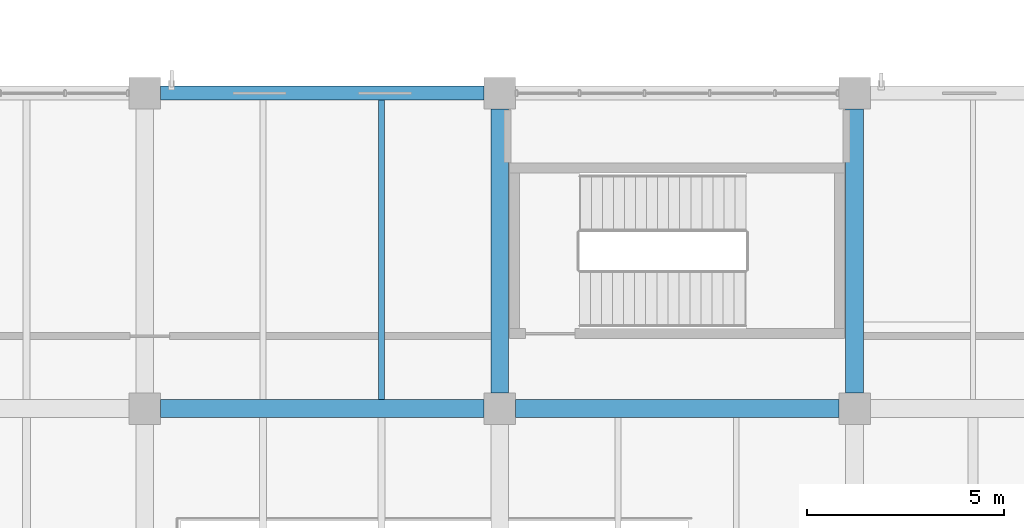
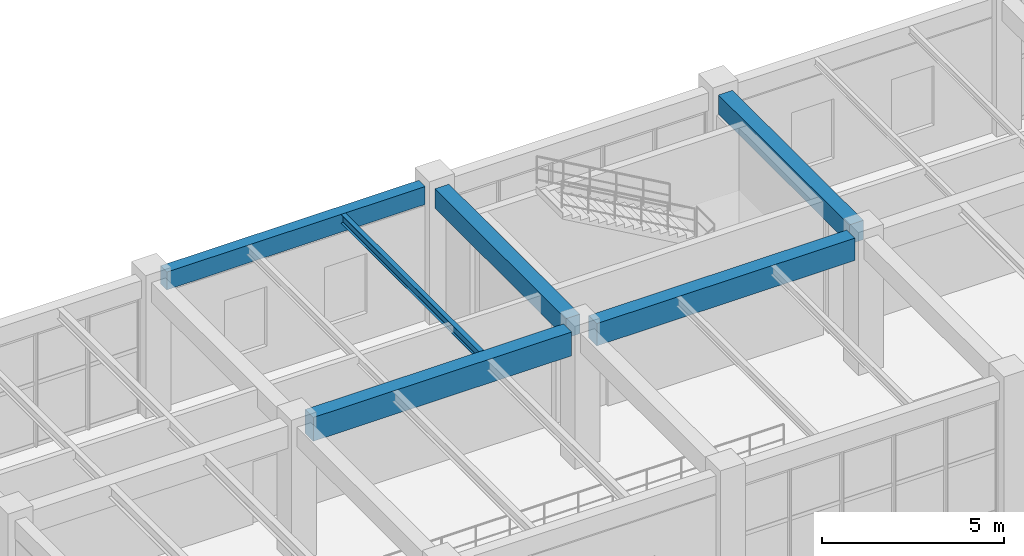
# One storey, part 107 of 178: 6 beams.
"""IFC4 building model written with IfcOpenShell, lengths in metres."""

from ifc_helpers import new_model, si_unit, derived_unit, direction, frame, origin, origin_2d, place, context, subcontext, project, spatial, rectangle, i_section, extrude, material, material_profile, profile_set, type_object, element, save


model = new_model("IFC4")

# Units and contexts
model_context = context("Model", 3, precision=1e-05, world=origin(), true_north=direction((0.0, 1.0)))
body_context = subcontext(model_context, "Body", "Model", "MODEL_VIEW")
ifc_project = project(units=[si_unit("LENGTHUNIT", "METRE"), si_unit("AREAUNIT", "SQUARE_METRE"), si_unit("VOLUMEUNIT", "CUBIC_METRE"), si_unit("PLANEANGLEUNIT", "RADIAN"), si_unit("MASSUNIT", "GRAM", prefix="KILO"), derived_unit("THERMALTRANSMITTANCEUNIT", [(si_unit("MASSUNIT", "GRAM", prefix="KILO"), 1), (si_unit("TIMEUNIT", "SECOND"), -3), (si_unit("THERMODYNAMICTEMPERATUREUNIT", "KELVIN"), -1)])], contexts=[model_context])

# Site, building, storey
site_placement = place(None, origin())
site = spatial("IfcSite", under=ifc_project, at=site_placement, CompositionType="ELEMENT")
building_placement = place(site_placement, origin())
building = spatial("IfcBuilding", under=site, at=building_placement, Name="Zhenchuan Archway Interchange", CompositionType="ELEMENT")
storey_placement = place(building_placement, frame((0.0, 0.0, 5.39990234375)))
storey = spatial("IfcBuildingStorey", under=building, at=storey_placement, Name="L01", CompositionType="ELEMENT", Elevation=5.39990234375)

# Beams
ifc_material_1 = material(Name="Concrete C40", Category="concrete")
ifc_material_profile_1 = material_profile(ifc_material_1, rectangle(XDim=0.449951171875, YDim=0.64990234375, at=origin_2d()), Name="RC 450x650")
ifc_profile_set_1 = profile_set([ifc_material_profile_1], Name="Concrete C40")
beam_type_1 = type_object("IfcBeamType", Name="BM_RC_450x650", PredefinedType="BEAM", material=ifc_profile_set_1)
for number, where, z_axis, x_axis, name in (
    (1, (117.0, 96.39990234375, 4.18505859375), (0.0, 1.0, 0.0), (-1.0, 0.0, 0.0), "Beam 14:N-O (L01)"),
    (2, (126.0, 96.39990234375, 4.18505859375), (0.0, 1.0, 0.0), (-1.0, 0.0, 0.0), "Beam 15:N-O (L01)"),
):
    element("IfcBeam", number, at=place(storey_placement, frame(where, z_axis=z_axis, x_axis=x_axis)), inside=storey, type_object=beam_type_1, Name=name, PredefinedType="BEAM", context=body_context, shape_type="SweptSolid", body=[
        extrude(rectangle(XDim=0.449951171875, YDim=0.64990234375, at=origin_2d()), origin(), (0.0, 0.0, 1.0), 7.2001953125),
    ])
ifc_material_profile_2 = material_profile(ifc_material_1, rectangle(XDim=0.449951171875, YDim=0.75, at=origin_2d()), Name="RC 450x750")
ifc_profile_set_2 = profile_set([ifc_material_profile_2], Name="Concrete C40")
beam_type_2 = type_object("IfcBeamType", Name="BM_RC_450x750", PredefinedType="BEAM", material=ifc_profile_set_2)
beam_1_placement = place(storey_placement, frame((117.39990234375, 96.0, 4.135009765625), z_axis=(1.0, 0.0, 0.0), x_axis=(0.0, 1.0, 0.0)))
element("IfcBeam", 3, at=beam_1_placement, inside=storey, type_object=beam_type_2, Name="Beam N:14-15 (L01)", PredefinedType="BEAM", context=body_context, shape_type="SweptSolid", body=[
    extrude(rectangle(XDim=0.449951171875, YDim=0.75, at=origin_2d()), origin(), (0.0, 0.0, 1.0), 8.2001953125),
])
ifc_material_profile_3 = material_profile(ifc_material_1, rectangle(XDim=0.449951171875, YDim=0.800048828125, at=origin_2d()), Name="RC 450x800")
ifc_profile_set_3 = profile_set([ifc_material_profile_3], Name="Concrete C40")
beam_type_3 = type_object("IfcBeamType", Name="BM_RC_450x800", PredefinedType="BEAM", material=ifc_profile_set_3)
beam_2_placement = place(storey_placement, frame((108.39990234375, 96.0, 4.110107421875), z_axis=(1.0, 0.0, 0.0), x_axis=(0.0, 1.0, 0.0)))
element("IfcBeam", 4, at=beam_2_placement, inside=storey, type_object=beam_type_3, Name="Beam N:13-14 (L01)", PredefinedType="BEAM", context=body_context, shape_type="SweptSolid", body=[
    extrude(rectangle(XDim=0.449951171875, YDim=0.800048828125, at=origin_2d()), origin(), (0.0, 0.0, 1.0), 8.2001953125),
])
ifc_material_2 = material(Name="Steel Q355", Category="steel")
ifc_material_profile_4 = material_profile(ifc_material_2, i_section(OverallWidth=0.14990234375, OverallDepth=0.300048828125, WebThickness=0.006591796875, FlangeThickness=0.009033203125, FilletRadius=0.012939453125, at=origin_2d()), Name="HN 300x150")
ifc_profile_set_4 = profile_set([ifc_material_profile_4], Name="Steel Q355")
beam_type_4 = type_object("IfcBeamType", Name="JST_STL_HN300", PredefinedType="JOIST", material=ifc_profile_set_4)
beam_3_placement = place(storey_placement, frame((114.0, 96.22509765625, 4.360107421875), z_axis=(0.0, 1.0, 0.0), x_axis=(-1.0, 0.0, 0.0)))
element("IfcBeam", 5, at=beam_3_placement, inside=storey, type_object=beam_type_4, Name="Secondary joist 13-14/N-O #2 (L01)", PredefinedType="JOIST", context=body_context, shape_type="SweptSolid", body=[
    extrude(i_section(OverallWidth=0.14990234375, OverallDepth=0.300048828125, WebThickness=0.006591796875, FlangeThickness=0.009033203125, FilletRadius=0.012939453125, at=origin_2d()), origin(), (0.0, 0.0, 1.0), 7.599853515625),
])
ifc_material_profile_5 = material_profile(ifc_material_1, rectangle(XDim=0.35009765625, YDim=0.60009765625, at=origin_2d()), Name="RC 350x600")
ifc_profile_set_5 = profile_set([ifc_material_profile_5], Name="Concrete C40")
beam_type_5 = type_object("IfcBeamType", Name="SP_RC_350x600", PredefinedType="SPANDREL", material=ifc_profile_set_5)
beam_4_placement = place(storey_placement, frame((108.39990234375, 104.0, 4.210205078125), z_axis=(1.0, 0.0, 0.0), x_axis=(0.0, 1.0, 0.0)))
element("IfcBeam", 6, at=beam_4_placement, inside=storey, type_object=beam_type_5, Name="Beam O:13-14 (L01)", PredefinedType="SPANDREL", context=body_context, shape_type="SweptSolid", body=[
    extrude(rectangle(XDim=0.35009765625, YDim=0.60009765625, at=origin_2d()), origin(), (0.0, 0.0, 1.0), 8.2001953125),
])

save(model, "model.ifc")
